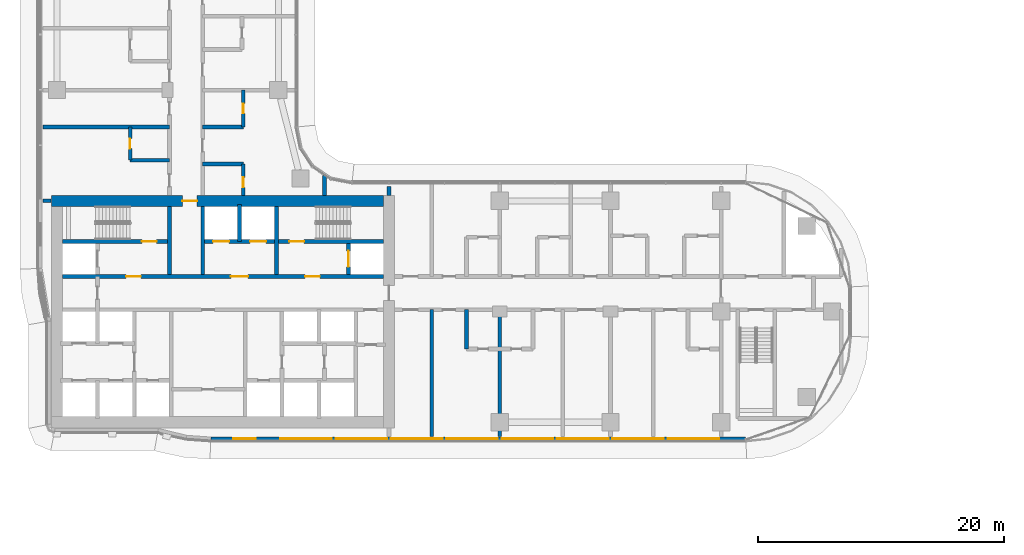
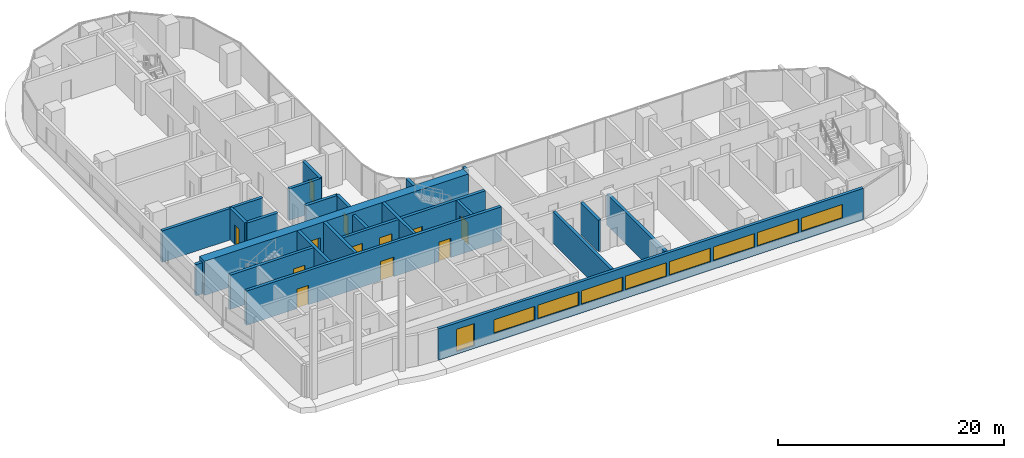
# One storey, part 17 of 36: 23 walls, 12 doors, 9 windows, 21 openings.
"""IFC4 building model written with IfcOpenShell, lengths in metres."""

import ifcopenshell
import ifcopenshell.guid

model = None  # the IFC model being written
_history = None  # IfcOwnerHistory: only IFC2X3 demands one
_inside = {}  # id of a spatial element -> (the spatial element, [elements in it])
_under = {}  # id of a project, library or spatial element -> (it, [spatial elements below it])
_declared = {}  # id of a project -> (the project, [libraries it declares])
_typed = {}  # id of a type object -> (the type object, [elements of that type])
_made_of = {}  # id of a material, layer set ... -> (it, [elements and type objects made of it])


def new_model(schema):
    """Start an empty IFC model of exactly this schema.

    Asked for "IFC4X3", IfcOpenShell would pick the latest addendum, in which some entities
    have other attributes; the version numbers below select the first issue.
    IFC2X3 requires an IfcOwnerHistory on every rooted entity: one is made here for all.
    """
    global model, _history
    if schema == "IFC4X3":
        model = ifcopenshell.file(schema_version=(4, 3, 0, 0))
    else:
        model = ifcopenshell.file(schema=schema)
    _inside.clear()
    _under.clear()
    _declared.clear()
    _typed.clear()
    _made_of.clear()
    _history = None
    if model.schema == "IFC2X3":
        org = make("IfcOrganization", Name="unknown")
        user = make(
            "IfcPersonAndOrganization",
            ThePerson=make("IfcPerson", FamilyName="unknown"),
            TheOrganization=org,
        )
        app = make(
            "IfcApplication",
            ApplicationDeveloper=org,
            Version="unknown",
            ApplicationFullName="unknown",
            ApplicationIdentifier="unknown",
        )
        _history = make(
            "IfcOwnerHistory",
            OwningUser=user,
            OwningApplication=app,
            ChangeAction="ADDED",
            CreationDate=0,
        )
    return model


def make(cls, **values):
    """One entity of the class cls with the attributes given. An attribute that is None is left unset."""
    return model.create_entity(
        cls, **{name: value for name, value in values.items() if value is not None}
    )


def rooted(cls, **values):
    """An entity with a GlobalId (a new one), such as an element, a storey or a relation."""
    return make(cls, GlobalId=ifcopenshell.guid.new(), OwnerHistory=_history, **values)


def si_unit(unit_type, name, prefix=None):
    """IfcSIUnit, for example si_unit("LENGTHUNIT", "METRE", prefix="MILLI")."""
    return make("IfcSIUnit", UnitType=unit_type, Prefix=prefix, Name=name)


def assignment(units):
    """IfcUnitAssignment: the units of a project."""
    return None if units is None else make("IfcUnitAssignment", Units=units)


def point(xyz):
    """IfcCartesianPoint."""
    return None if xyz is None else make("IfcCartesianPoint", Coordinates=xyz)


def direction(xyz):
    """IfcDirection."""
    return None if xyz is None else make("IfcDirection", DirectionRatios=xyz)


def frame(location, z_axis=None, x_axis=None):
    """IfcAxis2Placement3D, a coordinate frame: its origin and axes. An axis left out is left unset."""
    return make(
        "IfcAxis2Placement3D",
        Location=point(location),
        Axis=direction(z_axis),
        RefDirection=direction(x_axis),
    )


def frame_2d(location, x_axis=None):
    """IfcAxis2Placement2D, a coordinate frame in the plane: its origin and x axis."""
    return make(
        "IfcAxis2Placement2D", Location=point(location), RefDirection=direction(x_axis)
    )


def origin():
    """The frame at (0, 0, 0) with its axes left unset."""
    return frame((0.0, 0.0, 0.0))


def place(relative_to, where):
    """IfcLocalPlacement: puts the frame where relative to a parent placement (None: the world)."""
    return make(
        "IfcLocalPlacement", PlacementRelTo=relative_to, RelativePlacement=where
    )


def context(
    kind, dimensions, precision=None, world=None, true_north=None, identifier=None
):
    """IfcGeometricRepresentationContext, for example the 3D "Model" context."""
    return make(
        "IfcGeometricRepresentationContext",
        ContextIdentifier=identifier,
        ContextType=kind,
        CoordinateSpaceDimension=dimensions,
        Precision=precision,
        WorldCoordinateSystem=world,
        TrueNorth=true_north,
    )


def subcontext(parent, identifier, kind, view, scale=None):
    """IfcGeometricRepresentationSubContext, for example "Body" below "Model"."""
    return make(
        "IfcGeometricRepresentationSubContext",
        ContextIdentifier=identifier,
        ContextType=kind,
        ParentContext=parent,
        TargetScale=scale,
        TargetView=view,
    )


def project(units=None, contexts=None):
    """IfcProject with its units and contexts."""
    return rooted(
        "IfcProject",
        Name="project",
        RepresentationContexts=contexts,
        UnitsInContext=assignment(units),
    )


def spatial(cls, under=None, at=None, **own):
    """A site, building, storey or space (cls), placed at a placement, below another one or the project."""
    s = rooted(cls, ObjectPlacement=at, **own)
    if under is not None:
        _under.setdefault(under.id(), (under, []))[1].append(s)
    return s


def profile(cls, at=None, kind="AREA", **sizes):
    """A parametric profile (cls). Its sizes go by their IFC names, for example OverallWidth=200.0."""
    return make(cls, ProfileType=kind, Position=at, **sizes)


def rectangle(**sizes):
    """IfcRectangleProfileDef."""
    return profile("IfcRectangleProfileDef", **sizes)


def extrude(swept, where, along, depth):
    """IfcExtrudedAreaSolid: the profile swept, set in the frame where, extruded along a direction by depth."""
    return make(
        "IfcExtrudedAreaSolid",
        SweptArea=swept,
        Position=where,
        ExtrudedDirection=direction(along),
        Depth=depth,
    )


def shape(context_of_items, identifier, shape_type, items):
    """IfcShapeRepresentation: the items that make up one representation, for example the "Body"."""
    return make(
        "IfcShapeRepresentation",
        ContextOfItems=context_of_items,
        RepresentationIdentifier=identifier,
        RepresentationType=shape_type,
        Items=items,
    )


def material(Name=None, Category=None):
    """IfcMaterial."""
    return make("IfcMaterial", Name=Name, Category=Category)


def layer(
    of_material, thickness, ventilated=None, Name=None, Category=None, Priority=None
):
    """IfcMaterialLayer: one layer of a wall or slab, of a material (None: an air gap)."""
    return make(
        "IfcMaterialLayer",
        Material=of_material,
        LayerThickness=thickness,
        IsVentilated=ventilated,
        Name=Name,
        Category=Category,
        Priority=Priority,
    )


def layer_set(layers, Name=None):
    """IfcMaterialLayerSet."""
    return make("IfcMaterialLayerSet", MaterialLayers=layers, LayerSetName=Name)


def made_of(thing, what):
    """Note that an element or type object is made of a material, layer set ...; save() writes the relation."""
    if what is not None:
        _made_of.setdefault(what.id(), (what, []))[1].append(thing)
    return thing


def type_object(cls, material=None, **own):
    """A type object (cls), such as IfcWallType, which elements share."""
    return made_of(rooted(cls, **own), material)


def element(
    cls,
    number,
    at=None,
    inside=None,
    cuts=None,
    type_object=None,
    material=None,
    context=None,
    identifier="Body",
    shape_type=None,
    held_by="IfcProductDefinitionShape",
    body=None,
    shapes=None,
    **own,
):
    """One element of the class cls, such as IfcWall. Its Tag is "e" and its number.

    at: its placement. inside: the storey or other place that contains it. cuts: it is an
    opening in that element (IfcRelVoidsElement). A single representation is given by context,
    identifier, shape_type and body (its items); several are given by shapes. held_by: the class
    of the entity that holds the representations. save() writes the other relations.
    """
    e = rooted(cls, Tag="e%d" % number, ObjectPlacement=at, **own)
    if body is not None:
        shapes = [shape(context, identifier, shape_type, body)]
    if shapes is not None:
        e.Representation = make(held_by, Representations=shapes)
    if inside is not None:
        _inside.setdefault(inside.id(), (inside, []))[1].append(e)
    if cuts is not None:
        rooted(
            "IfcRelVoidsElement", RelatingBuildingElement=cuts, RelatedOpeningElement=e
        )
    if type_object is not None:
        _typed.setdefault(type_object.id(), (type_object, []))[1].append(e)
    return made_of(e, material)


def fill(opening, filler):
    """IfcRelFillsElement: the door or window that sits in an opening."""
    return rooted(
        "IfcRelFillsElement",
        RelatingOpeningElement=opening,
        RelatedBuildingElement=filler,
    )


def aggregate(whole, parts):
    """IfcRelAggregates: a whole, such as a stair, and the parts it consists of."""
    return rooted("IfcRelAggregates", RelatingObject=whole, RelatedObjects=parts)


def save(model, path):
    """Write the relations noted so far, then the file.

    IfcRelAggregates (storeys below a building ...), IfcRelContainedInSpatialStructure (elements
    in a storey), IfcRelDefinesByType, IfcRelAssociatesMaterial and IfcRelDeclares: one each for
    every whole, place, type object, material and project.
    """
    for whole, parts in _under.values():
        aggregate(whole, parts)
    for where, things in _inside.values():
        rooted(
            "IfcRelContainedInSpatialStructure",
            RelatedElements=things,
            RelatingStructure=where,
        )
    for kind, things in _typed.values():
        rooted("IfcRelDefinesByType", RelatedObjects=things, RelatingType=kind)
    for what, things in _made_of.values():
        rooted("IfcRelAssociatesMaterial", RelatedObjects=things, RelatingMaterial=what)
    for by, libraries in _declared.values():
        rooted("IfcRelDeclares", RelatingContext=by, RelatedDefinitions=libraries)
    model.write(path)


model = new_model("IFC4")

# Units and contexts
model_context = context("Model", 3, precision=1e-05, world=origin(), true_north=direction((0.0, 1.0)))
body_context = subcontext(model_context, "Body", "Model", "MODEL_VIEW")
ifc_project = project(units=[si_unit("LENGTHUNIT", "METRE"), si_unit("AREAUNIT", "SQUARE_METRE"), si_unit("VOLUMEUNIT", "CUBIC_METRE"), si_unit("PLANEANGLEUNIT", "RADIAN"), si_unit("MASSUNIT", "GRAM", prefix="KILO")], contexts=[model_context])

# Site, building, storey
site_placement = place(None, origin())
site = spatial("IfcSite", under=ifc_project, at=site_placement, CompositionType="ELEMENT")
building_placement = place(site_placement, origin())
building = spatial("IfcBuilding", under=site, at=building_placement, Name="Ogive Portal Towers", CompositionType="ELEMENT")
storey_placement = place(building_placement, frame((0.0, 0.0, 70.5)))
storey = spatial("IfcBuildingStorey", under=building, at=storey_placement, Name="L16", CompositionType="ELEMENT", Elevation=70.5)

# Wall, openings, doors
ifc_material_1 = material(Name="Concrete C60/75", Category="concrete")
ifc_layer_1 = layer(ifc_material_1, 0.300048828125)
ifc_layer_set_1 = layer_set([ifc_layer_1], Name="CORE WALL 300 C60")
wall_type_1 = type_object("IfcWallType", Name="CORE WALL 300 C60", PredefinedType="SHEAR", material=ifc_layer_set_1)
wall_1_placement = place(storey_placement, frame((31.949951171875, 33.35009765625, 0.0), z_axis=(0.0, 0.0, 1.0), x_axis=(1.0, 0.0, 0.0)))
wall_1 = element("IfcWall", 1, at=wall_1_placement, inside=storey, type_object=wall_type_1, Name="Core wall Y2 L16", PredefinedType="SHEAR", context=body_context, shape_type="SweptSolid", body=[
    extrude(rectangle(XDim=26.10009765625, YDim=0.300048828125, at=frame_2d((13.050048828125, 0.0))), origin(), (0.0, 0.0, 1.0), 3.699951171875),
])
opening_1_placement = place(wall_1_placement, frame((13.699951171875, 0.0, 0.0)))
opening_1 = element("IfcOpeningElement", 2, at=opening_1_placement, cuts=wall_1, Name="Opening D05-002", PredefinedType="OPENING", context=body_context, shape_type="SweptSolid", body=[
    extrude(rectangle(XDim=1.39990234375, YDim=2.10009765625, at=frame_2d((0.699951171875, 1.050048828125))), frame((0.0, 0.16015625, 0.0), z_axis=(0.0, -1.0, 0.0), x_axis=(1.0, 0.0, 0.0)), (0.0, 0.0, 1.0), 0.320068359375),
])
opening_2_placement = place(wall_1_placement, frame((5.175048828125, 0.0, 0.0)))
opening_2 = element("IfcOpeningElement", 3, at=opening_2_placement, cuts=wall_1, Name="Opening D05-003", PredefinedType="OPENING", context=body_context, shape_type="SweptSolid", body=[
    extrude(rectangle(XDim=1.199951171875, YDim=2.10009765625, at=frame_2d((0.60009765625, 1.050048828125))), frame((0.0, 0.16015625, 0.0), z_axis=(0.0, -1.0, 0.0), x_axis=(1.0, 0.0, 0.0)), (0.0, 0.0, 1.0), 0.320068359375),
])
opening_3_placement = place(wall_1_placement, frame((19.72509765625, 0.0, 0.0)))
opening_3 = element("IfcOpeningElement", 4, at=opening_3_placement, cuts=wall_1, Name="Opening D05-004", PredefinedType="OPENING", context=body_context, shape_type="SweptSolid", body=[
    extrude(rectangle(XDim=1.199951171875, YDim=2.10009765625, at=frame_2d((0.60009765625, 1.050048828125))), frame((0.0, 0.16015625, 0.0), z_axis=(0.0, -1.0, 0.0), x_axis=(1.0, 0.0, 0.0)), (0.0, 0.0, 1.0), 0.320068359375),
])
ifc_material_2 = material(Name="Steel fire door", Category="steel")
door_type_1 = type_object("IfcDoorType", Name="DT-SWING-1200x2100-FD90S", OperationType="SINGLE_SWING_LEFT", PredefinedType="DOOR", material=ifc_material_2)
door_1_placement = place(opening_2_placement, origin())
door_1 = element("IfcDoor", 5, at=door_1_placement, inside=storey, type_object=door_type_1, Name="Door D05-003", OperationType="SINGLE_SWING_LEFT", OverallHeight=2.10009765625, OverallWidth=1.199951171875, PredefinedType="DOOR", context=body_context, shape_type="SweptSolid", body=[
    extrude(rectangle(XDim=1.199951171875, YDim=2.10009765625, at=frame_2d((0.60009765625, 1.050048828125))), frame((0.0, 0.02490234375, 0.0), z_axis=(0.0, -1.0, 0.0), x_axis=(1.0, 0.0, 0.0)), (0.0, 0.0, 1.0), 0.050048828125),
])
fill(opening_2, door_1)
door_2_placement = place(opening_3_placement, origin())
door_2 = element("IfcDoor", 6, at=door_2_placement, inside=storey, type_object=door_type_1, Name="Door D05-004", OperationType="SINGLE_SWING_RIGHT", OverallHeight=2.10009765625, OverallWidth=1.199951171875, PredefinedType="DOOR", context=body_context, shape_type="SweptSolid", body=[
    extrude(rectangle(XDim=1.199951171875, YDim=2.10009765625, at=frame_2d((0.60009765625, 1.050048828125))), frame((0.0, 0.02490234375, 0.0), z_axis=(0.0, -1.0, 0.0), x_axis=(1.0, 0.0, 0.0)), (0.0, 0.0, 1.0), 0.050048828125),
])
fill(opening_3, door_2)
door_type_2 = type_object("IfcDoorType", Name="DT-SWING-1400x2100-FD90S", OperationType="SINGLE_SWING_LEFT", PredefinedType="DOOR", material=ifc_material_2)
door_3_placement = place(opening_1_placement, origin())
door_3 = element("IfcDoor", 7, at=door_3_placement, inside=storey, type_object=door_type_2, Name="Door D05-002", OperationType="SINGLE_SWING_RIGHT", OverallHeight=2.10009765625, OverallWidth=1.39990234375, PredefinedType="DOOR", context=body_context, shape_type="SweptSolid", body=[
    extrude(rectangle(XDim=1.39990234375, YDim=2.10009765625, at=frame_2d((0.699951171875, 1.050048828125))), frame((0.0, 0.02490234375, 0.0), z_axis=(0.0, -1.0, 0.0), x_axis=(1.0, 0.0, 0.0)), (0.0, 0.0, 1.0), 0.050048828125),
])
fill(opening_1, door_3)

# Wall, opening, door
wall_2_placement = place(storey_placement, frame((31.949951171875, 36.199951171875, 0.0), z_axis=(0.0, 0.0, 1.0), x_axis=(1.0, 0.0, 0.0)))
wall_2 = element("IfcWall", 8, at=wall_2_placement, inside=storey, type_object=wall_type_1, Name="Core wall Y3a L16", PredefinedType="SHEAR", context=body_context, shape_type="SweptSolid", body=[
    extrude(rectangle(XDim=8.550048828125, YDim=0.300048828125, at=frame_2d((4.27490234375, 0.0))), origin(), (0.0, 0.0, 1.0), 3.699951171875),
])
opening_4_placement = place(wall_2_placement, frame((6.449951171875, 0.0, 0.0)))
opening_4 = element("IfcOpeningElement", 9, at=opening_4_placement, cuts=wall_2, Name="Opening D05-005", PredefinedType="OPENING", context=body_context, shape_type="SweptSolid", body=[
    extrude(rectangle(XDim=1.199951171875, YDim=2.10009765625, at=frame_2d((0.60009765625, 1.050048828125))), frame((0.0, 0.16015625, 0.0), z_axis=(0.0, -1.0, 0.0), x_axis=(1.0, 0.0, 0.0)), (0.0, 0.0, 1.0), 0.320068359375),
])
door_4_placement = place(opening_4_placement, origin())
door_4 = element("IfcDoor", 10, at=door_4_placement, inside=storey, type_object=door_type_1, Name="Door D05-005", OperationType="SINGLE_SWING_RIGHT", OverallHeight=2.10009765625, OverallWidth=1.199951171875, PredefinedType="DOOR", context=body_context, shape_type="SweptSolid", body=[
    extrude(rectangle(XDim=1.199951171875, YDim=2.10009765625, at=frame_2d((0.60009765625, 1.050048828125))), frame((0.0, 0.02490234375, 0.0), z_axis=(0.0, -1.0, 0.0), x_axis=(1.0, 0.0, 0.0)), (0.0, 0.0, 1.0), 0.050048828125),
])
fill(opening_4, door_4)

# Wall, openings, doors
wall_3_placement = place(storey_placement, frame((43.5, 36.199951171875, 0.0), z_axis=(0.0, 0.0, 1.0), x_axis=(1.0, 0.0, 0.0)))
wall_3 = element("IfcWall", 11, at=wall_3_placement, inside=storey, type_object=wall_type_1, Name="Core wall Y3b L16", PredefinedType="SHEAR", context=body_context, shape_type="SweptSolid", body=[
    extrude(rectangle(XDim=14.550048828125, YDim=0.300048828125, at=frame_2d((7.27490234375, 0.0))), origin(), (0.0, 0.0, 1.0), 3.699951171875),
])
opening_5_placement = place(wall_3_placement, frame((6.89990234375, 0.0, 0.0)))
opening_5 = element("IfcOpeningElement", 12, at=opening_5_placement, cuts=wall_3, Name="Opening D05-006", PredefinedType="OPENING", context=body_context, shape_type="SweptSolid", body=[
    extrude(rectangle(XDim=1.199951171875, YDim=2.10009765625, at=frame_2d((0.60009765625, 1.050048828125))), frame((0.0, 0.16015625, 0.0), z_axis=(0.0, -1.0, 0.0), x_axis=(1.0, 0.0, 0.0)), (0.0, 0.0, 1.0), 0.320068359375),
])
opening_6_placement = place(wall_3_placement, frame((0.699951171875, 0.0, 0.0)))
opening_6 = element("IfcOpeningElement", 13, at=opening_6_placement, cuts=wall_3, Name="Opening D05-017", PredefinedType="OPENING", context=body_context, shape_type="SweptSolid", body=[
    extrude(rectangle(XDim=1.300048828125, YDim=2.39990234375, at=frame_2d((0.64990234375, 1.199951171875))), frame((0.0, 0.16015625, 0.0), z_axis=(0.0, -1.0, 0.0), x_axis=(1.0, 0.0, 0.0)), (0.0, 0.0, 1.0), 0.320068359375),
])
opening_7_placement = place(wall_3_placement, frame((3.699951171875, 0.0, 0.0)))
opening_7 = element("IfcOpeningElement", 14, at=opening_7_placement, cuts=wall_3, Name="Opening D05-018", PredefinedType="OPENING", context=body_context, shape_type="SweptSolid", body=[
    extrude(rectangle(XDim=1.300048828125, YDim=2.39990234375, at=frame_2d((0.64990234375, 1.199951171875))), frame((0.0, 0.16015625, 0.0), z_axis=(0.0, -1.0, 0.0), x_axis=(1.0, 0.0, 0.0)), (0.0, 0.0, 1.0), 0.320068359375),
])
ifc_material_3 = material(Name="Stainless steel", Category="steel")
door_type_3 = type_object("IfcDoorType", Name="DT-LD-1300x2400", OperationType="SLIDING_TO_LEFT", PredefinedType="DOOR", material=ifc_material_3)
door_5_placement = place(opening_6_placement, origin())
door_5 = element("IfcDoor", 15, at=door_5_placement, inside=storey, type_object=door_type_3, Name="Door D05-017", OperationType="SLIDING_TO_LEFT", OverallHeight=2.39990234375, OverallWidth=1.300048828125, PredefinedType="DOOR", context=body_context, shape_type="SweptSolid", body=[
    extrude(rectangle(XDim=1.300048828125, YDim=2.39990234375, at=frame_2d((0.64990234375, 1.199951171875))), frame((0.0, 0.02490234375, 0.0), z_axis=(0.0, -1.0, 0.0), x_axis=(1.0, 0.0, 0.0)), (0.0, 0.0, 1.0), 0.050048828125),
])
fill(opening_6, door_5)
door_6_placement = place(opening_7_placement, origin())
door_6 = element("IfcDoor", 16, at=door_6_placement, inside=storey, type_object=door_type_3, Name="Door D05-018", OperationType="SLIDING_TO_LEFT", OverallHeight=2.39990234375, OverallWidth=1.300048828125, PredefinedType="DOOR", context=body_context, shape_type="SweptSolid", body=[
    extrude(rectangle(XDim=1.300048828125, YDim=2.39990234375, at=frame_2d((0.64990234375, 1.199951171875))), frame((0.0, 0.02490234375, 0.0), z_axis=(0.0, -1.0, 0.0), x_axis=(1.0, 0.0, 0.0)), (0.0, 0.0, 1.0), 0.050048828125),
])
fill(opening_7, door_6)
door_7_placement = place(opening_5_placement, origin())
door_7 = element("IfcDoor", 17, at=door_7_placement, inside=storey, type_object=door_type_1, Name="Door D05-006", OperationType="SINGLE_SWING_LEFT", OverallHeight=2.10009765625, OverallWidth=1.199951171875, PredefinedType="DOOR", context=body_context, shape_type="SweptSolid", body=[
    extrude(rectangle(XDim=1.199951171875, YDim=2.10009765625, at=frame_2d((0.60009765625, 1.050048828125))), frame((0.0, 0.02490234375, 0.0), z_axis=(0.0, -1.0, 0.0), x_axis=(1.0, 0.0, 0.0)), (0.0, 0.0, 1.0), 0.050048828125),
])
fill(opening_5, door_7)

# Walls
for number, where, z_axis, x_axis, name in (
    (18, (40.64990234375, 33.5, 0.0), (0.0, 0.0, 1.0), (0.0, 1.0, 0.0), "Core wall X6 L16"),
    (19, (43.35009765625, 33.5, 0.0), (0.0, 0.0, 1.0), (0.0, 1.0, 0.0), "Core wall X7 L16"),
    (20, (49.35009765625, 33.5, 0.0), (0.0, 0.0, 1.0), (0.0, 1.0, 0.0), "Core wall X9 L16"),
):
    element("IfcWall", number, at=place(storey_placement, frame(where, z_axis=z_axis, x_axis=x_axis)), inside=storey, type_object=wall_type_1, Name=name, PredefinedType="SHEAR", context=body_context, shape_type="SweptSolid", body=[
        extrude(rectangle(XDim=5.550048828125, YDim=0.300048828125, at=frame_2d((2.77490234375, 0.0))), origin(), (0.0, 0.0, 1.0), 3.699951171875),
    ])

# Wall, opening, door
wall_4_placement = place(storey_placement, frame((55.199951171875, 33.5, 0.0), z_axis=(0.0, 0.0, 1.0), x_axis=(0.0, 1.0, 0.0)))
wall_4 = element("IfcWall", 21, at=wall_4_placement, inside=storey, type_object=wall_type_1, Name="Core wall X10 L16", PredefinedType="SHEAR", context=body_context, shape_type="SweptSolid", body=[
    extrude(rectangle(XDim=2.550048828125, YDim=0.300048828125, at=frame_2d((1.27490234375, 0.0))), origin(), (0.0, 0.0, 1.0), 3.699951171875),
])
opening_8_placement = place(wall_4_placement, frame((0.625, 0.0, 0.0)))
opening_8 = element("IfcOpeningElement", 22, at=opening_8_placement, cuts=wall_4, Name="Opening D05-020", PredefinedType="OPENING", context=body_context, shape_type="SweptSolid", body=[
    extrude(rectangle(XDim=1.300048828125, YDim=2.39990234375, at=frame_2d((0.64990234375, 1.199951171875))), frame((0.0, 0.16015625, 0.0), z_axis=(0.0, -1.0, 0.0), x_axis=(1.0, 0.0, 0.0)), (0.0, 0.0, 1.0), 0.320068359375),
])
door_8_placement = place(opening_8_placement, origin())
door_8 = element("IfcDoor", 23, at=door_8_placement, inside=storey, type_object=door_type_3, Name="Door D05-020", OperationType="SLIDING_TO_LEFT", OverallHeight=2.39990234375, OverallWidth=1.300048828125, PredefinedType="DOOR", context=body_context, shape_type="SweptSolid", body=[
    extrude(rectangle(XDim=1.300048828125, YDim=2.39990234375, at=frame_2d((0.64990234375, 1.199951171875))), frame((0.0, 0.02490234375, 0.0), z_axis=(0.0, -1.0, 0.0), x_axis=(1.0, 0.0, 0.0)), (0.0, 0.0, 1.0), 0.050048828125),
])
fill(opening_8, door_8)

ifc_layer_2 = layer(ifc_material_1, 0.89990234375)
ifc_layer_set_2 = layer_set([ifc_layer_2], Name="CORE WALL 900 C60")
wall_type_2 = type_object("IfcWallType", Name="CORE WALL 900 C60", PredefinedType="SHEAR", material=ifc_layer_set_2)
wall_5_placement = place(storey_placement, frame((31.050048828125, 39.5, 0.0), z_axis=(0.0, 0.0, 1.0), x_axis=(1.0, 0.0, 0.0)))
wall_5 = element("IfcWall", 24, at=wall_5_placement, inside=storey, type_object=wall_type_2, Name="Core wall N L16", PredefinedType="SHEAR", context=body_context, shape_type="SweptSolid", body=[
    extrude(rectangle(XDim=27.0, YDim=0.89990234375, at=frame_2d((13.5, 0.0))), origin(), (0.0, 0.0, 1.0), 3.699951171875),
])
opening_9_placement = place(wall_5_placement, frame((10.64990234375, 0.0, 0.0)))
opening_9 = element("IfcOpeningElement", 25, at=opening_9_placement, cuts=wall_5, Name="Opening D05-012", PredefinedType="OPENING", context=body_context, shape_type="SweptSolid", body=[
    extrude(rectangle(XDim=1.199951171875, YDim=2.10009765625, at=frame_2d((0.60009765625, 1.050048828125))), frame((0.0, 0.4599609375, 0.0), z_axis=(0.0, -1.0, 0.0), x_axis=(1.0, 0.0, 0.0)), (0.0, 0.0, 1.0), 0.919921875),
])
door_9_placement = place(opening_9_placement, origin())
door_9 = element("IfcDoor", 26, at=door_9_placement, inside=storey, type_object=door_type_1, Name="Door D05-012", OperationType="SINGLE_SWING_RIGHT", OverallHeight=2.10009765625, OverallWidth=1.199951171875, PredefinedType="DOOR", context=body_context, shape_type="SweptSolid", body=[
    extrude(rectangle(XDim=1.199951171875, YDim=2.10009765625, at=frame_2d((0.60009765625, 1.050048828125))), frame((0.0, 0.02490234375, 0.0), z_axis=(0.0, -1.0, 0.0), x_axis=(1.0, 0.0, 0.0)), (0.0, 0.0, 1.0), 0.050048828125),
])
fill(opening_9, door_9)

# Wall, openings, windows
ifc_material_4 = material(Name="Limestone cladding on lightweight block wall", Category="masonry")
ifc_layer_3 = layer(ifc_material_4, 0.300048828125)
ifc_layer_set_3 = layer_set([ifc_layer_3], Name="EXTERNAL WALL 300 STONE")
wall_type_3 = type_object("IfcWallType", Name="EXTERNAL WALL 300 STONE", PredefinedType="SOLIDWALL", material=ifc_layer_set_3)
wall_6_placement = place(storey_placement, frame((44.0107421875, 20.14990234375, 0.0), z_axis=(0.0, 0.0, 1.0), x_axis=(1.0, 0.0, 0.0)))
wall_6 = element("IfcWall", 27, at=wall_6_placement, inside=storey, type_object=wall_type_3, Name="A:L16:f06:r0:wall", PredefinedType="SOLIDWALL", context=body_context, shape_type="SweptSolid", body=[
    extrude(rectangle(XDim=43.4755859375, YDim=0.300048828125, at=frame_2d((21.73779296875, 0.0))), origin(), (0.0, 0.0, 1.0), 3.39990234375),
])
opening_10_placement = place(wall_6_placement, frame((1.8447265625, 0.0, 0.300048828125)))
opening_10 = element("IfcOpeningElement", 28, at=opening_10_placement, cuts=wall_6, Name="Opening WN10", PredefinedType="OPENING", context=body_context, shape_type="SweptSolid", body=[
    extrude(rectangle(XDim=1.800048828125, YDim=2.39990234375, at=frame_2d((0.89990234375, 1.199951171875))), frame((0.0, 0.16015625, 0.0), z_axis=(0.0, -1.0, 0.0), x_axis=(1.0, 0.0, 0.0)), (0.0, 0.0, 1.0), 0.320068359375),
])
opening_11_placement = place(wall_6_placement, frame((5.639404296875, 0.0, 0.89990234375)))
opening_11 = element("IfcOpeningElement", 29, at=opening_11_placement, cuts=wall_6, Name="Opening WN11", PredefinedType="OPENING", context=body_context, shape_type="SweptSolid", body=[
    extrude(rectangle(XDim=4.199951171875, YDim=1.5, at=frame_2d((2.10009765625, 0.75))), frame((0.0, 0.16015625, 0.0), z_axis=(0.0, -1.0, 0.0), x_axis=(1.0, 0.0, 0.0)), (0.0, 0.0, 1.0), 0.320068359375),
])
opening_12_placement = place(wall_6_placement, frame((10.139404296875, 0.0, 0.89990234375)))
opening_12 = element("IfcOpeningElement", 30, at=opening_12_placement, cuts=wall_6, Name="Opening WN11", PredefinedType="OPENING", context=body_context, shape_type="SweptSolid", body=[
    extrude(rectangle(XDim=4.199951171875, YDim=1.5, at=frame_2d((2.10009765625, 0.75))), frame((0.0, 0.16015625, 0.0), z_axis=(0.0, -1.0, 0.0), x_axis=(1.0, 0.0, 0.0)), (0.0, 0.0, 1.0), 0.320068359375),
])
opening_13_placement = place(wall_6_placement, frame((14.639404296875, 0.0, 0.89990234375)))
opening_13 = element("IfcOpeningElement", 31, at=opening_13_placement, cuts=wall_6, Name="Opening WN11", PredefinedType="OPENING", context=body_context, shape_type="SweptSolid", body=[
    extrude(rectangle(XDim=4.199951171875, YDim=1.5, at=frame_2d((2.10009765625, 0.75))), frame((0.0, 0.16015625, 0.0), z_axis=(0.0, -1.0, 0.0), x_axis=(1.0, 0.0, 0.0)), (0.0, 0.0, 1.0), 0.320068359375),
])
opening_14_placement = place(wall_6_placement, frame((19.139404296875, 0.0, 0.89990234375)))
opening_14 = element("IfcOpeningElement", 32, at=opening_14_placement, cuts=wall_6, Name="Opening WN11", PredefinedType="OPENING", context=body_context, shape_type="SweptSolid", body=[
    extrude(rectangle(XDim=4.199951171875, YDim=1.5, at=frame_2d((2.10009765625, 0.75))), frame((0.0, 0.16015625, 0.0), z_axis=(0.0, -1.0, 0.0), x_axis=(1.0, 0.0, 0.0)), (0.0, 0.0, 1.0), 0.320068359375),
])
opening_15_placement = place(wall_6_placement, frame((23.639404296875, 0.0, 0.89990234375)))
opening_15 = element("IfcOpeningElement", 33, at=opening_15_placement, cuts=wall_6, Name="Opening WN11", PredefinedType="OPENING", context=body_context, shape_type="SweptSolid", body=[
    extrude(rectangle(XDim=4.199951171875, YDim=1.5, at=frame_2d((2.10009765625, 0.75))), frame((0.0, 0.16015625, 0.0), z_axis=(0.0, -1.0, 0.0), x_axis=(1.0, 0.0, 0.0)), (0.0, 0.0, 1.0), 0.320068359375),
])
opening_16_placement = place(wall_6_placement, frame((28.139404296875, 0.0, 0.89990234375)))
opening_16 = element("IfcOpeningElement", 34, at=opening_16_placement, cuts=wall_6, Name="Opening WN11", PredefinedType="OPENING", context=body_context, shape_type="SweptSolid", body=[
    extrude(rectangle(XDim=4.199951171875, YDim=1.5, at=frame_2d((2.10009765625, 0.75))), frame((0.0, 0.16015625, 0.0), z_axis=(0.0, -1.0, 0.0), x_axis=(1.0, 0.0, 0.0)), (0.0, 0.0, 1.0), 0.320068359375),
])
opening_17_placement = place(wall_6_placement, frame((32.639404296875, 0.0, 0.89990234375)))
opening_17 = element("IfcOpeningElement", 35, at=opening_17_placement, cuts=wall_6, Name="Opening WN11", PredefinedType="OPENING", context=body_context, shape_type="SweptSolid", body=[
    extrude(rectangle(XDim=4.199951171875, YDim=1.5, at=frame_2d((2.10009765625, 0.75))), frame((0.0, 0.16015625, 0.0), z_axis=(0.0, -1.0, 0.0), x_axis=(1.0, 0.0, 0.0)), (0.0, 0.0, 1.0), 0.320068359375),
])
opening_18_placement = place(wall_6_placement, frame((37.139404296875, 0.0, 0.89990234375)))
opening_18 = element("IfcOpeningElement", 36, at=opening_18_placement, cuts=wall_6, Name="Opening WN11", PredefinedType="OPENING", context=body_context, shape_type="SweptSolid", body=[
    extrude(rectangle(XDim=4.199951171875, YDim=1.5, at=frame_2d((2.10009765625, 0.75))), frame((0.0, 0.16015625, 0.0), z_axis=(0.0, -1.0, 0.0), x_axis=(1.0, 0.0, 0.0)), (0.0, 0.0, 1.0), 0.320068359375),
])
ifc_material_5 = material(Name="Glass, clear low-iron insulated glazing", Category="glass")
window_type_1 = type_object("IfcWindowType", Name="WINDOW RIBBON 4200x1500", PartitioningType="TRIPLE_PANEL_VERTICAL", PredefinedType="WINDOW", material=ifc_material_5)
window_1_placement = place(opening_11_placement, origin())
window_1 = element("IfcWindow", 37, at=window_1_placement, inside=storey, type_object=window_type_1, Name="A:L16:f06:r0:w1", OverallHeight=1.5, OverallWidth=4.199951171875, PartitioningType="SINGLE_PANEL", PredefinedType="WINDOW", context=body_context, shape_type="SweptSolid", body=[
    extrude(rectangle(XDim=4.199951171875, YDim=1.5, at=frame_2d((2.10009765625, 0.75))), frame((0.0, 0.030029296875, 0.0), z_axis=(0.0, -1.0, 0.0), x_axis=(1.0, 0.0, 0.0)), (0.0, 0.0, 1.0), 0.06005859375),
])
fill(opening_11, window_1)
window_2_placement = place(opening_12_placement, origin())
window_2 = element("IfcWindow", 38, at=window_2_placement, inside=storey, type_object=window_type_1, Name="A:L16:f06:r0:w2", OverallHeight=1.5, OverallWidth=4.199951171875, PartitioningType="SINGLE_PANEL", PredefinedType="WINDOW", context=body_context, shape_type="SweptSolid", body=[
    extrude(rectangle(XDim=4.199951171875, YDim=1.5, at=frame_2d((2.10009765625, 0.75))), frame((0.0, 0.030029296875, 0.0), z_axis=(0.0, -1.0, 0.0), x_axis=(1.0, 0.0, 0.0)), (0.0, 0.0, 1.0), 0.06005859375),
])
fill(opening_12, window_2)
window_3_placement = place(opening_13_placement, origin())
window_3 = element("IfcWindow", 39, at=window_3_placement, inside=storey, type_object=window_type_1, Name="A:L16:f06:r0:w3", OverallHeight=1.5, OverallWidth=4.199951171875, PartitioningType="SINGLE_PANEL", PredefinedType="WINDOW", context=body_context, shape_type="SweptSolid", body=[
    extrude(rectangle(XDim=4.199951171875, YDim=1.5, at=frame_2d((2.10009765625, 0.75))), frame((0.0, 0.030029296875, 0.0), z_axis=(0.0, -1.0, 0.0), x_axis=(1.0, 0.0, 0.0)), (0.0, 0.0, 1.0), 0.06005859375),
])
fill(opening_13, window_3)
window_4_placement = place(opening_14_placement, origin())
window_4 = element("IfcWindow", 40, at=window_4_placement, inside=storey, type_object=window_type_1, Name="A:L16:f06:r0:w4", OverallHeight=1.5, OverallWidth=4.199951171875, PartitioningType="SINGLE_PANEL", PredefinedType="WINDOW", context=body_context, shape_type="SweptSolid", body=[
    extrude(rectangle(XDim=4.199951171875, YDim=1.5, at=frame_2d((2.10009765625, 0.75))), frame((0.0, 0.030029296875, 0.0), z_axis=(0.0, -1.0, 0.0), x_axis=(1.0, 0.0, 0.0)), (0.0, 0.0, 1.0), 0.06005859375),
])
fill(opening_14, window_4)
window_5_placement = place(opening_15_placement, origin())
window_5 = element("IfcWindow", 41, at=window_5_placement, inside=storey, type_object=window_type_1, Name="A:L16:f06:r0:w5", OverallHeight=1.5, OverallWidth=4.199951171875, PartitioningType="SINGLE_PANEL", PredefinedType="WINDOW", context=body_context, shape_type="SweptSolid", body=[
    extrude(rectangle(XDim=4.199951171875, YDim=1.5, at=frame_2d((2.10009765625, 0.75))), frame((0.0, 0.030029296875, 0.0), z_axis=(0.0, -1.0, 0.0), x_axis=(1.0, 0.0, 0.0)), (0.0, 0.0, 1.0), 0.06005859375),
])
fill(opening_15, window_5)
window_6_placement = place(opening_16_placement, origin())
window_6 = element("IfcWindow", 42, at=window_6_placement, inside=storey, type_object=window_type_1, Name="A:L16:f06:r0:w6", OverallHeight=1.5, OverallWidth=4.199951171875, PartitioningType="SINGLE_PANEL", PredefinedType="WINDOW", context=body_context, shape_type="SweptSolid", body=[
    extrude(rectangle(XDim=4.199951171875, YDim=1.5, at=frame_2d((2.10009765625, 0.75))), frame((0.0, 0.030029296875, 0.0), z_axis=(0.0, -1.0, 0.0), x_axis=(1.0, 0.0, 0.0)), (0.0, 0.0, 1.0), 0.06005859375),
])
fill(opening_16, window_6)
window_7_placement = place(opening_17_placement, origin())
window_7 = element("IfcWindow", 43, at=window_7_placement, inside=storey, type_object=window_type_1, Name="A:L16:f06:r0:w7", OverallHeight=1.5, OverallWidth=4.199951171875, PartitioningType="SINGLE_PANEL", PredefinedType="WINDOW", context=body_context, shape_type="SweptSolid", body=[
    extrude(rectangle(XDim=4.199951171875, YDim=1.5, at=frame_2d((2.10009765625, 0.75))), frame((0.0, 0.030029296875, 0.0), z_axis=(0.0, -1.0, 0.0), x_axis=(1.0, 0.0, 0.0)), (0.0, 0.0, 1.0), 0.06005859375),
])
fill(opening_17, window_7)
window_8_placement = place(opening_18_placement, origin())
window_8 = element("IfcWindow", 44, at=window_8_placement, inside=storey, type_object=window_type_1, Name="A:L16:f06:r0:w8", OverallHeight=1.5, OverallWidth=4.199951171875, PartitioningType="SINGLE_PANEL", PredefinedType="WINDOW", context=body_context, shape_type="SweptSolid", body=[
    extrude(rectangle(XDim=4.199951171875, YDim=1.5, at=frame_2d((2.10009765625, 0.75))), frame((0.0, 0.030029296875, 0.0), z_axis=(0.0, -1.0, 0.0), x_axis=(1.0, 0.0, 0.0)), (0.0, 0.0, 1.0), 0.06005859375),
])
fill(opening_18, window_8)
window_type_2 = type_object("IfcWindowType", Name="WINDOW SUITE CORNER 1800x2400", PartitioningType="DOUBLE_PANEL_VERTICAL", PredefinedType="WINDOW", material=ifc_material_5)
window_9_placement = place(opening_10_placement, origin())
window_9 = element("IfcWindow", 45, at=window_9_placement, inside=storey, type_object=window_type_2, Name="A:L16:f06:r0:w0", OverallHeight=2.39990234375, OverallWidth=1.800048828125, PartitioningType="SINGLE_PANEL", PredefinedType="WINDOW", context=body_context, shape_type="SweptSolid", body=[
    extrude(rectangle(XDim=1.800048828125, YDim=2.39990234375, at=frame_2d((0.89990234375, 1.199951171875))), frame((0.0, 0.030029296875, 0.0), z_axis=(0.0, -1.0, 0.0), x_axis=(1.0, 0.0, 0.0)), (0.0, 0.0, 1.0), 0.06005859375),
])
fill(opening_10, window_9)

# Walls
ifc_material_6 = material(Name="Gypsum board partition on steel studs", Category="steel")
ifc_layer_4 = layer(ifc_material_6, 0.300048828125)
ifc_layer_set_4 = layer_set([ifc_layer_4], Name="WT-PART-300-EI 60")
wall_type_4 = type_object("IfcWallType", Name="WT-PART-300-EI 60", PredefinedType="PARTITIONING", material=ifc_layer_set_4)
wall_7_placement = place(storey_placement, frame((30.35009765625, 39.5, 0.0), z_axis=(0.0, 0.0, 1.0), x_axis=(1.0, 0.0, 0.0)))
element("IfcWall", 46, at=wall_7_placement, inside=storey, type_object=wall_type_4, Name="Wall L16:w012", PredefinedType="PARTITIONING", context=body_context, shape_type="SweptSolid", body=[
    extrude(rectangle(XDim=0.679931640625, YDim=0.300048828125, at=frame_2d((0.33984375, 0.0))), origin(), (0.0, 0.0, 1.0), 3.39990234375),
])
wall_8_placement = place(storey_placement, frame((43.35009765625, 42.5, 0.0), z_axis=(0.0, 0.0, 1.0), x_axis=(1.0, 0.0, 0.0)))
element("IfcWall", 47, at=wall_8_placement, inside=storey, type_object=wall_type_4, Name="Wall L16:w013", PredefinedType="PARTITIONING", context=body_context, shape_type="SweptSolid", body=[
    extrude(rectangle(XDim=3.2998046875, YDim=0.300048828125, at=frame_2d((1.64990234375, 0.0))), origin(), (0.0, 0.0, 1.0), 3.39990234375),
])
wall_9_placement = place(storey_placement, frame((37.449951171875, 42.800048828125, 0.0), z_axis=(0.0, 0.0, 1.0), x_axis=(1.0, 0.0, 0.0)))
element("IfcWall", 48, at=wall_9_placement, inside=storey, type_object=wall_type_4, Name="Wall L16:w014", PredefinedType="PARTITIONING", context=body_context, shape_type="SweptSolid", body=[
    extrude(rectangle(XDim=3.199951171875, YDim=0.300048828125, at=frame_2d((1.60009765625, 0.0))), origin(), (0.0, 0.0, 1.0), 3.39990234375),
])
wall_10_placement = place(storey_placement, frame((30.35009765625, 45.5, 0.0), z_axis=(0.0, 0.0, 1.0), x_axis=(1.0, 0.0, 0.0)))
element("IfcWall", 49, at=wall_10_placement, inside=storey, type_object=wall_type_4, Name="Wall L16:w015", PredefinedType="PARTITIONING", context=body_context, shape_type="SweptSolid", body=[
    extrude(rectangle(XDim=10.2998046875, YDim=0.300048828125, at=frame_2d((5.14990234375, 0.0))), origin(), (0.0, 0.0, 1.0), 3.39990234375),
])
wall_11_placement = place(storey_placement, frame((43.35009765625, 45.5, 0.0), z_axis=(0.0, 0.0, 1.0), x_axis=(1.0, 0.0, 0.0)))
element("IfcWall", 50, at=wall_11_placement, inside=storey, type_object=wall_type_4, Name="Wall L16:w016", PredefinedType="PARTITIONING", context=body_context, shape_type="SweptSolid", body=[
    extrude(rectangle(XDim=3.2998046875, YDim=0.300048828125, at=frame_2d((1.64990234375, 0.0))), origin(), (0.0, 0.0, 1.0), 3.39990234375),
])

# Wall, opening, door
wall_12_placement = place(storey_placement, frame((37.449951171875, 42.800048828125, 0.0), z_axis=(0.0, 0.0, 1.0), x_axis=(0.0, 1.0, 0.0)))
wall_12 = element("IfcWall", 51, at=wall_12_placement, inside=storey, type_object=wall_type_4, Name="Wall L16:w031", PredefinedType="PARTITIONING", context=body_context, shape_type="SweptSolid", body=[
    extrude(rectangle(XDim=2.699951171875, YDim=0.300048828125, at=frame_2d((1.35009765625, 0.0))), origin(), (0.0, 0.0, 1.0), 3.39990234375),
])
opening_19_placement = place(wall_12_placement, frame((0.949951171875, 0.0, 0.0)))
opening_19 = element("IfcOpeningElement", 52, at=opening_19_placement, cuts=wall_12, Name="Opening D05-047", PredefinedType="OPENING", context=body_context, shape_type="SweptSolid", body=[
    extrude(rectangle(XDim=0.800048828125, YDim=2.10009765625, at=frame_2d((0.39990234375, 1.050048828125))), frame((0.0, 0.16015625, 0.0), z_axis=(0.0, -1.0, 0.0), x_axis=(1.0, 0.0, 0.0)), (0.0, 0.0, 1.0), 0.320068359375),
])
door_type_4 = type_object("IfcDoorType", Name="DT-BATH-800x2100-FD60S", OperationType="SINGLE_SWING_LEFT", PredefinedType="DOOR", material=ifc_material_2)
door_10_placement = place(opening_19_placement, origin())
door_10 = element("IfcDoor", 53, at=door_10_placement, inside=storey, type_object=door_type_4, Name="Door D05-047", OperationType="SINGLE_SWING_LEFT", OverallHeight=2.10009765625, OverallWidth=0.800048828125, PredefinedType="DOOR", context=body_context, shape_type="SweptSolid", body=[
    extrude(rectangle(XDim=0.800048828125, YDim=2.10009765625, at=frame_2d((0.39990234375, 1.050048828125))), frame((0.0, 0.02490234375, 0.0), z_axis=(0.0, -1.0, 0.0), x_axis=(1.0, 0.0, 0.0)), (0.0, 0.0, 1.0), 0.050048828125),
])
fill(opening_19, door_10)

wall_13_placement = place(storey_placement, frame((46.64990234375, 39.949951171875, 0.0), z_axis=(0.0, 0.0, 1.0), x_axis=(0.0, 1.0, 0.0)))
wall_13 = element("IfcWall", 54, at=wall_13_placement, inside=storey, type_object=wall_type_4, Name="Wall L16:w039", PredefinedType="PARTITIONING", context=body_context, shape_type="SweptSolid", body=[
    extrude(rectangle(XDim=2.550048828125, YDim=0.300048828125, at=frame_2d((1.27490234375, 0.0))), origin(), (0.0, 0.0, 1.0), 3.39990234375),
])
opening_20_placement = place(wall_13_placement, frame((0.64990234375, 0.0, 0.0)))
opening_20 = element("IfcOpeningElement", 55, at=opening_20_placement, cuts=wall_13, Name="Opening D05-044", PredefinedType="OPENING", context=body_context, shape_type="SweptSolid", body=[
    extrude(rectangle(XDim=0.800048828125, YDim=2.10009765625, at=frame_2d((0.39990234375, 1.050048828125))), frame((0.0, 0.16015625, 0.0), z_axis=(0.0, -1.0, 0.0), x_axis=(1.0, 0.0, 0.0)), (0.0, 0.0, 1.0), 0.320068359375),
])
door_11_placement = place(opening_20_placement, origin())
door_11 = element("IfcDoor", 56, at=door_11_placement, inside=storey, type_object=door_type_4, Name="Door D05-044", OperationType="SINGLE_SWING_LEFT", OverallHeight=2.10009765625, OverallWidth=0.800048828125, PredefinedType="DOOR", context=body_context, shape_type="SweptSolid", body=[
    extrude(rectangle(XDim=0.800048828125, YDim=2.10009765625, at=frame_2d((0.39990234375, 1.050048828125))), frame((0.0, 0.02490234375, 0.0), z_axis=(0.0, -1.0, 0.0), x_axis=(1.0, 0.0, 0.0)), (0.0, 0.0, 1.0), 0.050048828125),
])
fill(opening_20, door_11)

wall_14_placement = place(storey_placement, frame((46.64990234375, 45.5, 0.0), z_axis=(0.0, 0.0, 1.0), x_axis=(0.0, 1.0, 0.0)))
wall_14 = element("IfcWall", 57, at=wall_14_placement, inside=storey, type_object=wall_type_4, Name="Wall L16:w040", PredefinedType="PARTITIONING", context=body_context, shape_type="SweptSolid", body=[
    extrude(rectangle(XDim=3.0, YDim=0.300048828125, at=frame_2d((1.5, 0.0))), origin(), (0.0, 0.0, 1.0), 3.39990234375),
])
opening_21_placement = place(wall_14_placement, frame((1.10009765625, 0.0, 0.0)))
opening_21 = element("IfcOpeningElement", 58, at=opening_21_placement, cuts=wall_14, Name="Opening D05-045", PredefinedType="OPENING", context=body_context, shape_type="SweptSolid", body=[
    extrude(rectangle(XDim=0.800048828125, YDim=2.10009765625, at=frame_2d((0.39990234375, 1.050048828125))), frame((0.0, 0.16015625, 0.0), z_axis=(0.0, -1.0, 0.0), x_axis=(1.0, 0.0, 0.0)), (0.0, 0.0, 1.0), 0.320068359375),
])
door_12_placement = place(opening_21_placement, origin())
door_12 = element("IfcDoor", 59, at=door_12_placement, inside=storey, type_object=door_type_4, Name="Door D05-045", OperationType="SINGLE_SWING_RIGHT", OverallHeight=2.10009765625, OverallWidth=0.800048828125, PredefinedType="DOOR", context=body_context, shape_type="SweptSolid", body=[
    extrude(rectangle(XDim=0.800048828125, YDim=2.10009765625, at=frame_2d((0.39990234375, 1.050048828125))), frame((0.0, 0.02490234375, 0.0), z_axis=(0.0, -1.0, 0.0), x_axis=(1.0, 0.0, 0.0)), (0.0, 0.0, 1.0), 0.050048828125),
])
fill(opening_21, door_12)

# Walls
wall_15_placement = place(storey_placement, frame((53.25, 39.949951171875, 0.0), z_axis=(0.0, 0.0, 1.0), x_axis=(0.0, 1.0, 0.0)))
element("IfcWall", 60, at=wall_15_placement, inside=storey, type_object=wall_type_4, Name="Wall L16:w042", PredefinedType="PARTITIONING", context=body_context, shape_type="SweptSolid", body=[
    extrude(rectangle(XDim=1.614990234375, YDim=0.300048828125, at=frame_2d((0.8076171875, 0.0))), origin(), (0.0, 0.0, 1.0), 3.39990234375),
])
wall_16_placement = place(storey_placement, frame((58.5, 39.949951171875, 0.0), z_axis=(0.0, 0.0, 1.0), x_axis=(0.0, 1.0, 0.0)))
element("IfcWall", 61, at=wall_16_placement, inside=storey, type_object=wall_type_4, Name="Wall L16:w044", PredefinedType="PARTITIONING", context=body_context, shape_type="SweptSolid", body=[
    extrude(rectangle(XDim=0.699951171875, YDim=0.300048828125, at=frame_2d((0.35009765625, 0.0))), origin(), (0.0, 0.0, 1.0), 3.39990234375),
])
wall_17_placement = place(storey_placement, frame((61.969970703125, 20.35009765625, 0.0), z_axis=(0.0, 0.0, 1.0), x_axis=(0.0, 1.0, 0.0)))
element("IfcWall", 62, at=wall_17_placement, inside=storey, type_object=wall_type_4, Name="Wall L16:w045", PredefinedType="PARTITIONING", context=body_context, shape_type="SweptSolid", body=[
    extrude(rectangle(XDim=10.2998046875, YDim=0.300048828125, at=frame_2d((5.14990234375, 0.0))), origin(), (0.0, 0.0, 1.0), 3.39990234375),
])
wall_18_placement = place(storey_placement, frame((64.800048828125, 27.449951171875, 0.0), z_axis=(0.0, 0.0, 1.0), x_axis=(0.0, 1.0, 0.0)))
element("IfcWall", 63, at=wall_18_placement, inside=storey, type_object=wall_type_4, Name="Wall L16:w047", PredefinedType="PARTITIONING", context=body_context, shape_type="SweptSolid", body=[
    extrude(rectangle(XDim=3.199951171875, YDim=0.300048828125, at=frame_2d((1.60009765625, 0.0))), origin(), (0.0, 0.0, 1.0), 3.39990234375),
])
wall_19_placement = place(storey_placement, frame((67.5, 20.35009765625, 0.0), z_axis=(0.0, 0.0, 1.0), x_axis=(0.0, 1.0, 0.0)))
element("IfcWall", 64, at=wall_19_placement, inside=storey, type_object=wall_type_4, Name="Wall L16:w049", PredefinedType="PARTITIONING", context=body_context, shape_type="SweptSolid", body=[
    extrude(rectangle(XDim=10.2998046875, YDim=0.300048828125, at=frame_2d((5.14990234375, 0.0))), origin(), (0.0, 0.0, 1.0), 3.39990234375),
])
ifc_material_7 = material(Name="Concrete C40/50", Category="concrete")
ifc_layer_5 = layer(ifc_material_7, 0.300048828125)
ifc_layer_set_5 = layer_set([ifc_layer_5], Name="WT-SHAFT-300")
wall_type_5 = type_object("IfcWallType", Name="WT-SHAFT-300", PredefinedType="SOLIDWALL", material=ifc_layer_set_5)
wall_20_placement = place(storey_placement, frame((46.35009765625, 36.199951171875, 0.0), z_axis=(0.0, 0.0, 1.0), x_axis=(0.0, 1.0, 0.0)))
element("IfcWall", 65, at=wall_20_placement, inside=storey, type_object=wall_type_5, Name="Wall pw:009:L16", PredefinedType="SOLIDWALL", context=body_context, shape_type="SweptSolid", body=[
    extrude(rectangle(XDim=3.0, YDim=0.300048828125, at=frame_2d((1.5, 0.0))), origin(), (0.0, 0.0, 1.0), 3.39990234375),
])

save(model, "model.ifc")
